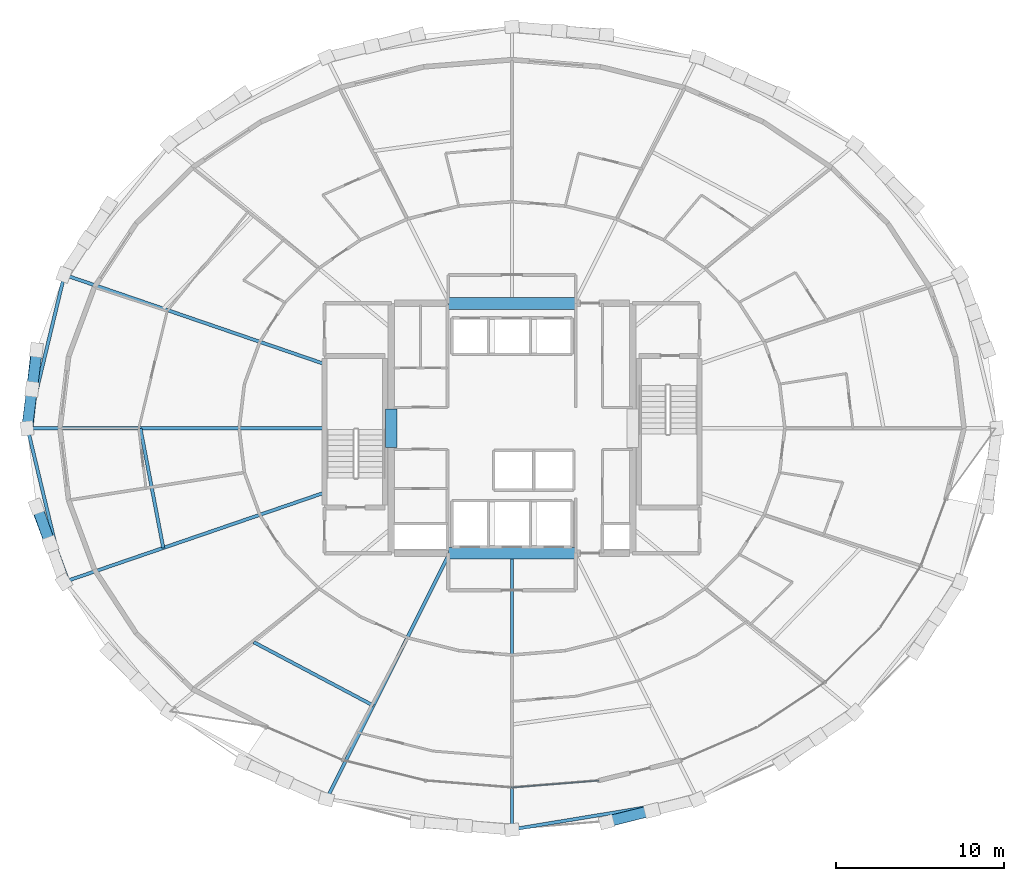
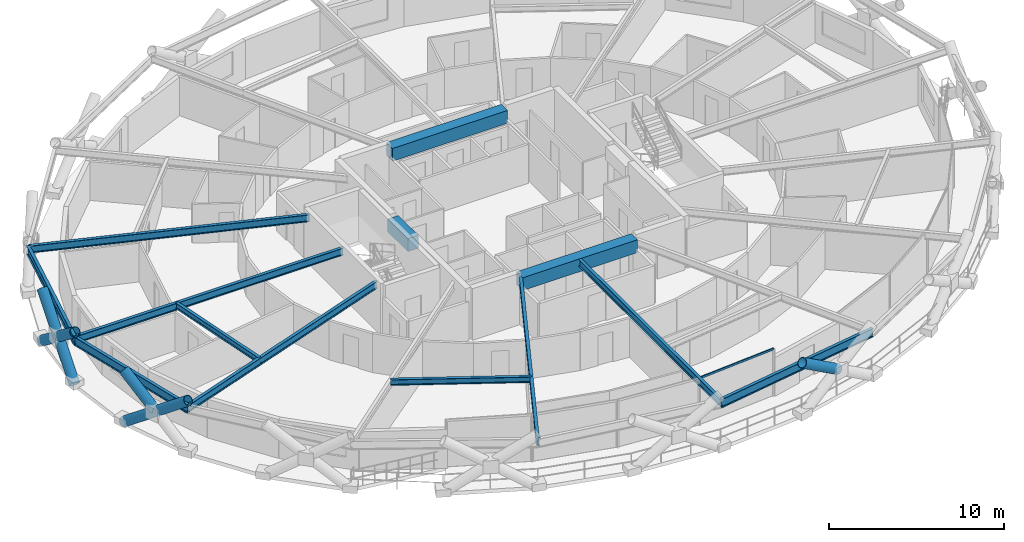
# One storey, part 4 of 21: 13 beams, 7 members, 1 element without a shape of its own.
"""IFC4 building model written with IfcOpenShell, lengths in metres."""

from ifc_helpers import new_model, si_unit, direction, frame, origin, origin_2d, place, context, subcontext, project, spatial, rectangle, hollow_rectangle, hollow_circle, i_section, extrude, material, layer, layer_set, material_profile, profile_set, type_object, element, aggregate, save


model = new_model("IFC4")

# Units and contexts
model_context = context("Model", 3, precision=1e-05, world=origin(), true_north=direction((0.0, 1.0)))
body_context = subcontext(model_context, "Body", "Model", "MODEL_VIEW")
ifc_project = project(units=[si_unit("LENGTHUNIT", "METRE"), si_unit("AREAUNIT", "SQUARE_METRE"), si_unit("VOLUMEUNIT", "CUBIC_METRE"), si_unit("PLANEANGLEUNIT", "RADIAN"), si_unit("MASSUNIT", "GRAM", prefix="KILO")], contexts=[model_context])

# Site, building, storey
site_placement = place(None, origin())
site = spatial("IfcSite", under=ifc_project, at=site_placement, CompositionType="ELEMENT")
building_placement = place(site_placement, origin())
building = spatial("IfcBuilding", under=site, at=building_placement, Name="Veldorina Hangang Commons", CompositionType="ELEMENT")
storey_placement = place(building_placement, frame((0.0, 0.0, 91.60009765625)))
storey = spatial("IfcBuildingStorey", under=building, at=storey_placement, Name="L23", CompositionType="ELEMENT", Elevation=91.60009765625)

# Beams
ifc_material_1 = material(Name="Concrete C70/85", Category="concrete")
ifc_material_profile_1 = material_profile(ifc_material_1, rectangle(XDim=0.699951171875, YDim=0.89990234375, at=origin_2d()), Name="RC-CB-700x900")
ifc_profile_set_1 = profile_set([ifc_material_profile_1], Name="Concrete C70/85")
beam_type_1 = type_object("IfcBeamType", Name="BM-CB900", PredefinedType="LINTEL", material=ifc_profile_set_1)
beam_1_placement = place(storey_placement, frame((24.800048828125, 22.85009765625, 2.889892578125), z_axis=(0.0, 1.0, 0.0), x_axis=(-1.0, 0.0, 0.0)))
element("IfcBeam", 1, at=beam_1_placement, inside=storey, type_object=beam_type_1, Name="L23 W core coupling lintel beam", PredefinedType="LINTEL", context=body_context, shape_type="SweptSolid", body=[
    extrude(rectangle(XDim=0.699951171875, YDim=0.89990234375, at=origin_2d()), origin(), (0.0, 0.0, 1.0), 2.2998046875),
])
for number, where, z_axis, x_axis, name in (
    (2, (28.199951171875, 16.550048828125, 2.889892578125), (1.0, 0.0, 0.0), (0.0, 1.0, 0.0), "L23 south core coupling beam"),
    (3, (28.199951171875, 31.449951171875, 2.889892578125), (1.0, 0.0, 0.0), (0.0, 1.0, 0.0), "L23 north core coupling beam"),
):
    element("IfcBeam", number, at=place(storey_placement, frame(where, z_axis=z_axis, x_axis=x_axis)), inside=storey, type_object=beam_type_1, Name=name, PredefinedType="LINTEL", context=body_context, shape_type="SweptSolid", body=[
        extrude(rectangle(XDim=0.699951171875, YDim=0.89990234375, at=origin_2d()), origin(), (0.0, 0.0, 1.0), 7.60009765625),
    ])
ifc_material_2 = material(Name="Steel SM420-TMC", Category="steel")
ifc_material_profile_2 = material_profile(ifc_material_2, i_section(OverallWidth=0.199951171875, OverallDepth=0.5, WebThickness=0.010009765625, FlangeThickness=0.01611328125, FilletRadius=0.01611328125, at=origin_2d()), Name="H-500x200x10x16")
ifc_profile_set_2 = profile_set([ifc_material_profile_2], Name="Steel SM420-TMC")
beam_type_2 = type_object("IfcBeamType", Name="BM-FG500", PredefinedType="BEAM", material=ifc_profile_set_2)
beam_2_placement = place(storey_placement, frame((20.820068359375, 27.834716796875, 3.08984375), z_axis=(-0.94590888505, 0.324432398479, 0.0), x_axis=(-0.324432398479, -0.94590888505, 0.0)))
element("IfcBeam", 4, at=beam_2_placement, inside=storey, type_object=beam_type_2, Name="L23 radial floor girder 08", PredefinedType="BEAM", context=body_context, shape_type="SweptSolid", body=[
    extrude(i_section(OverallWidth=0.199951171875, OverallDepth=0.5, WebThickness=0.010009765625, FlangeThickness=0.01611328125, FilletRadius=0.01611328125, at=origin_2d()), origin(), (0.0, 0.0, 1.0), 16.40185546875),
])
beam_3_placement = place(storey_placement, frame((20.820068359375, 24.0, 3.08984375), z_axis=(-1.0, 0.0, 0.0), x_axis=(0.0, -1.0, 0.0)))
element("IfcBeam", 5, at=beam_3_placement, inside=storey, type_object=beam_type_2, Name="L23 radial floor girder 09", PredefinedType="BEAM", context=body_context, shape_type="SweptSolid", body=[
    extrude(i_section(OverallWidth=0.199951171875, OverallDepth=0.5, WebThickness=0.010009765625, FlangeThickness=0.01611328125, FilletRadius=0.01611328125, at=origin_2d()), origin(), (0.0, 0.0, 1.0), 17.714111328125),
])
beam_4_placement = place(storey_placement, frame((20.820068359375, 20.165283203125, 3.08984375), z_axis=(-0.94590888505, -0.324432398479, 0.0), x_axis=(0.324432398479, -0.94590888505, 0.0)))
element("IfcBeam", 6, at=beam_4_placement, inside=storey, type_object=beam_type_2, Name="L23 radial floor girder 10", PredefinedType="BEAM", context=body_context, shape_type="SweptSolid", body=[
    extrude(i_section(OverallWidth=0.199951171875, OverallDepth=0.5, WebThickness=0.010009765625, FlangeThickness=0.01611328125, FilletRadius=0.01611328125, at=origin_2d()), origin(), (0.0, 0.0, 1.0), 16.40185546875),
])
beam_5_placement = place(storey_placement, frame((28.273193359375, 16.550048828125, 3.08984375), z_axis=(-0.447368542257, -0.894349700843, 0.0), x_axis=(0.894349700843, -0.447368542257, 0.0)))
element("IfcBeam", 7, at=beam_5_placement, inside=storey, type_object=beam_type_2, Name="L23 radial floor girder 12", PredefinedType="BEAM", context=body_context, shape_type="SweptSolid", body=[
    extrude(i_section(OverallWidth=0.199951171875, OverallDepth=0.5, WebThickness=0.010009765625, FlangeThickness=0.01611328125, FilletRadius=0.01611328125, at=origin_2d()), origin(), (0.0, 0.0, 1.0), 16.385986328125),
])
beam_6_placement = place(storey_placement, frame((32.0, 16.550048828125, 3.08984375), z_axis=(0.0, -1.0, 0.0), x_axis=(1.0, 0.0, 0.0)))
element("IfcBeam", 8, at=beam_6_placement, inside=storey, type_object=beam_type_2, Name="L23 radial floor girder 13", PredefinedType="BEAM", context=body_context, shape_type="SweptSolid", body=[
    extrude(i_section(OverallWidth=0.199951171875, OverallDepth=0.5, WebThickness=0.010009765625, FlangeThickness=0.01611328125, FilletRadius=0.01611328125, at=origin_2d()), origin(), (0.0, 0.0, 1.0), 16.475830078125),
])
ifc_material_3 = material(Name="Steel SM355-TMC", Category="steel")
ifc_material_profile_3 = material_profile(ifc_material_3, i_section(OverallWidth=0.199951171875, OverallDepth=0.39990234375, WebThickness=0.008056640625, FlangeThickness=0.012939453125, FilletRadius=0.012939453125, at=origin_2d()), Name="H-400x200x8x13")
ifc_profile_set_3 = profile_set([ifc_material_profile_3], Name="Steel SM355-TMC")
beam_type_3 = type_object("IfcBeamType", Name="BM-JST400", PredefinedType="JOIST", material=ifc_profile_set_3)
beam_7_placement = place(storey_placement, frame((9.83740234375, 24.0, 3.139892578125), z_axis=(0.187731456632, -0.982220392881, 0.0), x_axis=(0.982220392881, 0.187731456632, 0.0)))
element("IfcBeam", 9, at=beam_7_placement, inside=storey, type_object=beam_type_3, Name="L23 secondary floor joist 09", PredefinedType="JOIST", context=body_context, shape_type="SweptSolid", body=[
    extrude(i_section(OverallWidth=0.199951171875, OverallDepth=0.39990234375, WebThickness=0.008056640625, FlangeThickness=0.012939453125, FilletRadius=0.012939453125, at=origin_2d()), origin(), (0.0, 0.0, 1.0), 7.26318359375),
])
beam_8_placement = place(storey_placement, frame((16.5966796875, 11.2451171875, 3.139892578125), z_axis=(0.883508189888, -0.468415711095, 0.0), x_axis=(0.468415711095, 0.883508189888, 0.0)))
element("IfcBeam", 10, at=beam_8_placement, inside=storey, type_object=beam_type_3, Name="L23 secondary floor joist 11", PredefinedType="JOIST", context=body_context, shape_type="SweptSolid", body=[
    extrude(i_section(OverallWidth=0.199951171875, OverallDepth=0.39990234375, WebThickness=0.008056640625, FlangeThickness=0.012939453125, FilletRadius=0.012939453125, at=origin_2d()), origin(), (0.0, 0.0, 1.0), 8.072021484375),
])
ifc_material_profile_4 = material_profile(ifc_material_2, i_section(OverallWidth=0.199951171875, OverallDepth=0.60009765625, WebThickness=0.010986328125, FlangeThickness=0.01708984375, FilletRadius=0.01806640625, at=origin_2d()), Name="H-600x200x11x17")
ifc_profile_set_4 = profile_set([ifc_material_profile_4], Name="Steel SM420-TMC")
beam_type_4 = type_object("IfcBeamType", Name="BM-RB600", PredefinedType="BEAM", material=ifc_profile_set_4)
for number, where, z_axis, x_axis, name in (
    (11, (5.305419921875, 33.156005859375, 3.039794921875), (-0.233575930731, -0.972338564793, 0.0), (0.972338564793, -0.233575930731, 0.0), "L23 perimeter hoop ring beam 14"),
    (12, (3.10595703125, 24.0, 3.039794921875), (0.233575930731, -0.972338564793, 0.0), (0.972338564793, 0.233575930731, 0.0), "L23 perimeter hoop ring beam 16"),
):
    element("IfcBeam", number, at=place(storey_placement, frame(where, z_axis=z_axis, x_axis=x_axis)), inside=storey, type_object=beam_type_4, Name=name, PredefinedType="BEAM", context=body_context, shape_type="SweptSolid", body=[
        extrude(i_section(OverallWidth=0.199951171875, OverallDepth=0.60009765625, WebThickness=0.010986328125, FlangeThickness=0.01708984375, FilletRadius=0.01806640625, at=origin_2d()), origin(), (0.0, 0.0, 1.0), 9.41650390625),
    ])
beam_9_placement = place(storey_placement, frame((32.0, 0.07421875, 3.039794921875), z_axis=(0.986708290372, 0.162501537566, 0.0), x_axis=(-0.162501537566, 0.986708290372, 0.0)))
element("IfcBeam", 13, at=beam_9_placement, inside=storey, type_object=beam_type_4, Name="L23 perimeter hoop ring beam 24", PredefinedType="BEAM", context=body_context, shape_type="SweptSolid", body=[
    extrude(i_section(OverallWidth=0.199951171875, OverallDepth=0.60009765625, WebThickness=0.010986328125, FlangeThickness=0.01708984375, FilletRadius=0.01806640625, at=origin_2d()), origin(), (0.0, 0.0, 1.0), 11.206298828125),
])

# Curtain wall, member
ifc_material_4 = material(Name="Glass Low-E Triple IGU", Category="glass")
ifc_layer = layer(ifc_material_4, 0.179931640625)
ifc_layer_set = layer_set([ifc_layer], Name="Glass Low-E Triple IGU")
curtain_wall_type = type_object("IfcCurtainWallType", Name="CW-SYS-Z1", PredefinedType="NOTDEFINED", material=ifc_layer_set)
curtain_wall_placement = place(storey_placement, origin())
curtain_wall = element("IfcCurtainWall", 14, at=curtain_wall_placement, inside=storey, type_object=curtain_wall_type, Name="L23 unitised curtain wall CW-L23-R1", PredefinedType="NOTDEFINED")
ifc_material_5 = material(Name="Aluminium Anodized AA6063-T6", Category="aluminium")
ifc_material_profile_5 = material_profile(ifc_material_5, hollow_rectangle(XDim=0.06005859375, YDim=0.139892578125, WallThickness=0.00341796875, at=origin_2d()), Name="ALU-RHS-140x60x3.5")
ifc_profile_set_5 = profile_set([ifc_material_profile_5], Name="Aluminium Anodized AA6063-T6")
member_type_1 = type_object("IfcMemberType", Name="CW-TRN-140", PredefinedType="USERDEFINED", material=ifc_profile_set_5)
member_1_placement = place(storey_placement, frame((32.0, 2.574951171875, 3.260009765625), z_axis=(0.996818132385, 0.079709541135, 0.0), x_axis=(-0.079709541135, 0.996818132385, 0.0)))
member_1 = element("IfcMember", 15, at=member_1_placement, type_object=member_type_1, Name="CW-L23-R1 facet 4 transom 1", ObjectType="TRANSOM", PredefinedType="USERDEFINED", context=body_context, shape_type="SweptSolid", body=[
    extrude(hollow_rectangle(XDim=0.06005859375, YDim=0.139892578125, WallThickness=0.00341796875, at=origin_2d()), origin(), (0.0, 0.0, 1.0), 5.1669921875),
])
aggregate(curtain_wall, [member_1])

# Members
ifc_material_6 = material(Name="Steel SM460-TMC", Category="steel")
ifc_material_profile_6 = material_profile(ifc_material_6, hollow_circle(Radius=0.324951171875, WallThickness=0.031982421875, at=origin_2d()), Name="CHS-650x32")
ifc_profile_set_6 = profile_set([ifc_material_profile_6], Name="Steel SM460-TMC")
member_type_2 = type_object("IfcMemberType", Name="DG-CHS650", PredefinedType="BRACE", material=ifc_profile_set_6)
member_2_placement = place(storey_placement, frame((3.63427734375, 28.67138671875, 0.0), z_axis=(-0.088407919974, -0.788991203728, 0.608010625011), x_axis=(0.993780696523, -0.111354960455, 0.0)))
element("IfcMember", 16, at=member_2_placement, inside=storey, type_object=member_type_2, Name="L23 continuous perimeter diagrid brace 15", PredefinedType="BRACE", context=body_context, shape_type="SweptSolid", body=[
    extrude(hollow_circle(Radius=0.324951171875, WallThickness=0.031982421875, at=origin_2d()), origin(), (0.0, 0.0, 1.0), 5.920654296875),
])
member_3_placement = place(storey_placement, frame((3.07861328125, 24.0, 0.0), z_axis=(0.099119479943, 0.787929831005, 0.607735065722), x_axis=(-0.992180203736, 0.12481363433, 0.0)))
element("IfcMember", 17, at=member_3_placement, inside=storey, type_object=member_type_2, Name="L23 split perimeter diagrid lower brace 16", PredefinedType="BRACE", context=body_context, shape_type="SweptSolid", body=[
    extrude(hollow_circle(Radius=0.324951171875, WallThickness=0.031982421875, at=origin_2d()), origin(), (0.0, 0.0, 1.0), 2.963134765625),
])
member_4_placement = place(storey_placement, frame((3.372314453125, 26.334716796875, 1.80078125), z_axis=(0.099218670024, 0.787893561713, 0.60776590142), x_axis=(-0.992164015801, 0.124942249661, 0.0)))
element("IfcMember", 18, at=member_4_placement, inside=storey, type_object=member_type_2, Name="L23 split perimeter diagrid upper brace 16", PredefinedType="BRACE", context=body_context, shape_type="SweptSolid", body=[
    extrude(hollow_circle(Radius=0.324951171875, WallThickness=0.031982421875, at=origin_2d()), origin(), (0.0, 0.0, 1.0), 2.960205078125),
])
member_5_placement = place(storey_placement, frame((3.63427734375, 19.32861328125, 0.0), z_axis=(0.279810137925, -0.748606260614, 0.601078159048), x_axis=(0.936705954403, 0.350117058975, 0.0)))
element("IfcMember", 19, at=member_5_placement, inside=storey, type_object=member_type_2, Name="L23 continuous perimeter diagrid brace 17", PredefinedType="BRACE", context=body_context, shape_type="SweptSolid", body=[
    extrude(hollow_circle(Radius=0.324951171875, WallThickness=0.031982421875, at=origin_2d()), origin(), (0.0, 0.0, 1.0), 5.989013671875),
])
member_6_placement = place(storey_placement, frame((4.472412109375, 17.0859375, 1.80078125), z_axis=(-0.269755740994, 0.751689930398, 0.601825629846), x_axis=(-0.941227185628, -0.337774162769, 0.0)))
element("IfcMember", 20, at=member_6_placement, inside=storey, type_object=member_type_2, Name="L23 split perimeter diagrid upper brace 18", PredefinedType="BRACE", context=body_context, shape_type="SweptSolid", body=[
    extrude(hollow_circle(Radius=0.324951171875, WallThickness=0.031982421875, at=origin_2d()), origin(), (0.0, 0.0, 1.0), 2.9892578125),
])
member_7_placement = place(storey_placement, frame((40.350341796875, 1.207275390625, 1.80078125), z_axis=(-0.816437721911, -0.201502528236, 0.54113415837), x_axis=(0.239616881387, -0.970867524513, 0.0)))
element("IfcMember", 21, at=member_7_placement, inside=storey, type_object=member_type_2, Name="L23 split perimeter diagrid upper brace 26", PredefinedType="BRACE", context=body_context, shape_type="SweptSolid", body=[
    extrude(hollow_circle(Radius=0.324951171875, WallThickness=0.031982421875, at=origin_2d()), origin(), (0.0, 0.0, 1.0), 3.32470703125),
])

save(model, "model.ifc")
